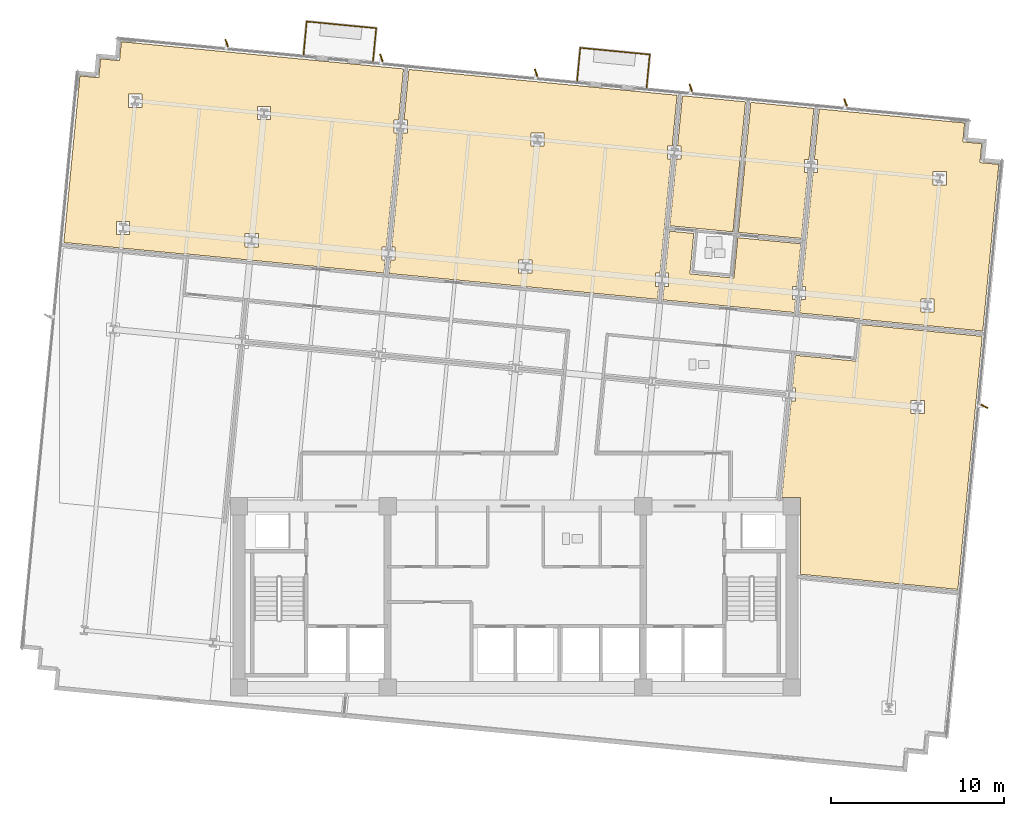
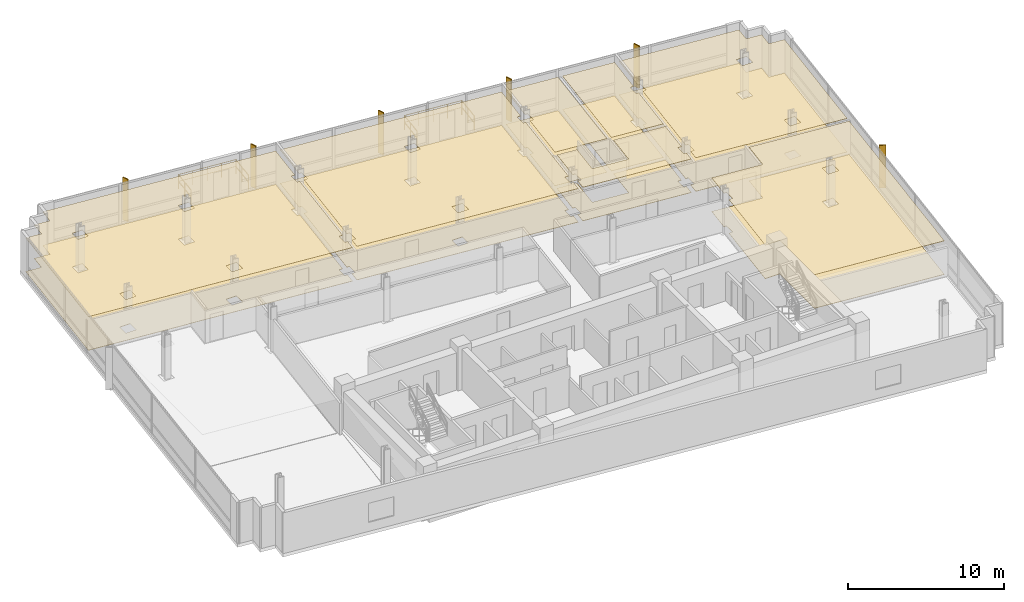
# One storey, part 15 of 16: 14 coverings, 6 railings, 6 shading devices.
"""IFC4 building model written with IfcOpenShell, lengths in metres."""

import ifcopenshell
import ifcopenshell.guid

model = None  # the IFC model being written
_history = None  # IfcOwnerHistory: only IFC2X3 demands one
_inside = {}  # id of a spatial element -> (the spatial element, [elements in it])
_under = {}  # id of a project, library or spatial element -> (it, [spatial elements below it])
_declared = {}  # id of a project -> (the project, [libraries it declares])
_typed = {}  # id of a type object -> (the type object, [elements of that type])
_made_of = {}  # id of a material, layer set ... -> (it, [elements and type objects made of it])


def new_model(schema):
    """Start an empty IFC model of exactly this schema.

    Asked for "IFC4X3", IfcOpenShell would pick the latest addendum, in which some entities
    have other attributes; the version numbers below select the first issue.
    IFC2X3 requires an IfcOwnerHistory on every rooted entity: one is made here for all.
    """
    global model, _history
    if schema == "IFC4X3":
        model = ifcopenshell.file(schema_version=(4, 3, 0, 0))
    else:
        model = ifcopenshell.file(schema=schema)
    _inside.clear()
    _under.clear()
    _declared.clear()
    _typed.clear()
    _made_of.clear()
    _history = None
    if model.schema == "IFC2X3":
        org = make("IfcOrganization", Name="unknown")
        user = make(
            "IfcPersonAndOrganization",
            ThePerson=make("IfcPerson", FamilyName="unknown"),
            TheOrganization=org,
        )
        app = make(
            "IfcApplication",
            ApplicationDeveloper=org,
            Version="unknown",
            ApplicationFullName="unknown",
            ApplicationIdentifier="unknown",
        )
        _history = make(
            "IfcOwnerHistory",
            OwningUser=user,
            OwningApplication=app,
            ChangeAction="ADDED",
            CreationDate=0,
        )
    return model


def make(cls, **values):
    """One entity of the class cls with the attributes given. An attribute that is None is left unset."""
    return model.create_entity(
        cls, **{name: value for name, value in values.items() if value is not None}
    )


def rooted(cls, **values):
    """An entity with a GlobalId (a new one), such as an element, a storey or a relation."""
    return make(cls, GlobalId=ifcopenshell.guid.new(), OwnerHistory=_history, **values)


def si_unit(unit_type, name, prefix=None):
    """IfcSIUnit, for example si_unit("LENGTHUNIT", "METRE", prefix="MILLI")."""
    return make("IfcSIUnit", UnitType=unit_type, Prefix=prefix, Name=name)


def assignment(units):
    """IfcUnitAssignment: the units of a project."""
    return None if units is None else make("IfcUnitAssignment", Units=units)


def point(xyz):
    """IfcCartesianPoint."""
    return None if xyz is None else make("IfcCartesianPoint", Coordinates=xyz)


def direction(xyz):
    """IfcDirection."""
    return None if xyz is None else make("IfcDirection", DirectionRatios=xyz)


def frame(location, z_axis=None, x_axis=None):
    """IfcAxis2Placement3D, a coordinate frame: its origin and axes. An axis left out is left unset."""
    return make(
        "IfcAxis2Placement3D",
        Location=point(location),
        Axis=direction(z_axis),
        RefDirection=direction(x_axis),
    )


def frame_2d(location, x_axis=None):
    """IfcAxis2Placement2D, a coordinate frame in the plane: its origin and x axis."""
    return make(
        "IfcAxis2Placement2D", Location=point(location), RefDirection=direction(x_axis)
    )


def origin():
    """The frame at (0, 0, 0) with its axes left unset."""
    return frame((0.0, 0.0, 0.0))


def origin_2d():
    """The frame at (0, 0) in the plane with its x axis left unset."""
    return frame_2d((0.0, 0.0))


def place(relative_to, where):
    """IfcLocalPlacement: puts the frame where relative to a parent placement (None: the world)."""
    return make(
        "IfcLocalPlacement", PlacementRelTo=relative_to, RelativePlacement=where
    )


def context(
    kind, dimensions, precision=None, world=None, true_north=None, identifier=None
):
    """IfcGeometricRepresentationContext, for example the 3D "Model" context."""
    return make(
        "IfcGeometricRepresentationContext",
        ContextIdentifier=identifier,
        ContextType=kind,
        CoordinateSpaceDimension=dimensions,
        Precision=precision,
        WorldCoordinateSystem=world,
        TrueNorth=true_north,
    )


def subcontext(parent, identifier, kind, view, scale=None):
    """IfcGeometricRepresentationSubContext, for example "Body" below "Model"."""
    return make(
        "IfcGeometricRepresentationSubContext",
        ContextIdentifier=identifier,
        ContextType=kind,
        ParentContext=parent,
        TargetScale=scale,
        TargetView=view,
    )


def project(units=None, contexts=None):
    """IfcProject with its units and contexts."""
    return rooted(
        "IfcProject",
        Name="project",
        RepresentationContexts=contexts,
        UnitsInContext=assignment(units),
    )


def spatial(cls, under=None, at=None, **own):
    """A site, building, storey or space (cls), placed at a placement, below another one or the project."""
    s = rooted(cls, ObjectPlacement=at, **own)
    if under is not None:
        _under.setdefault(under.id(), (under, []))[1].append(s)
    return s


def polyline(points):
    """IfcPolyline through the points."""
    return make("IfcPolyline", Points=[point(p) for p in points])


def profile(cls, at=None, kind="AREA", **sizes):
    """A parametric profile (cls). Its sizes go by their IFC names, for example OverallWidth=200.0."""
    return make(cls, ProfileType=kind, Position=at, **sizes)


def rectangle(**sizes):
    """IfcRectangleProfileDef."""
    return profile("IfcRectangleProfileDef", **sizes)


def circle(**sizes):
    """IfcCircleProfileDef."""
    return profile("IfcCircleProfileDef", **sizes)


def outline(outer, holes=None, kind="AREA"):
    """IfcArbitraryClosedProfileDef: a profile drawn as a closed curve; with holes, ...WithVoids."""
    if holes is None:
        return make("IfcArbitraryClosedProfileDef", ProfileType=kind, OuterCurve=outer)
    return make(
        "IfcArbitraryProfileDefWithVoids",
        ProfileType=kind,
        OuterCurve=outer,
        InnerCurves=holes,
    )


def extrude(swept, where, along, depth):
    """IfcExtrudedAreaSolid: the profile swept, set in the frame where, extruded along a direction by depth."""
    return make(
        "IfcExtrudedAreaSolid",
        SweptArea=swept,
        Position=where,
        ExtrudedDirection=direction(along),
        Depth=depth,
    )


def shape(context_of_items, identifier, shape_type, items):
    """IfcShapeRepresentation: the items that make up one representation, for example the "Body"."""
    return make(
        "IfcShapeRepresentation",
        ContextOfItems=context_of_items,
        RepresentationIdentifier=identifier,
        RepresentationType=shape_type,
        Items=items,
    )


def material(Name=None, Category=None):
    """IfcMaterial."""
    return make("IfcMaterial", Name=Name, Category=Category)


def layer(
    of_material, thickness, ventilated=None, Name=None, Category=None, Priority=None
):
    """IfcMaterialLayer: one layer of a wall or slab, of a material (None: an air gap)."""
    return make(
        "IfcMaterialLayer",
        Material=of_material,
        LayerThickness=thickness,
        IsVentilated=ventilated,
        Name=Name,
        Category=Category,
        Priority=Priority,
    )


def layer_set(layers, Name=None):
    """IfcMaterialLayerSet."""
    return make("IfcMaterialLayerSet", MaterialLayers=layers, LayerSetName=Name)


def made_of(thing, what):
    """Note that an element or type object is made of a material, layer set ...; save() writes the relation."""
    if what is not None:
        _made_of.setdefault(what.id(), (what, []))[1].append(thing)
    return thing


def type_object(cls, material=None, **own):
    """A type object (cls), such as IfcWallType, which elements share."""
    return made_of(rooted(cls, **own), material)


def element(
    cls,
    number,
    at=None,
    inside=None,
    cuts=None,
    type_object=None,
    material=None,
    context=None,
    identifier="Body",
    shape_type=None,
    held_by="IfcProductDefinitionShape",
    body=None,
    shapes=None,
    **own,
):
    """One element of the class cls, such as IfcWall. Its Tag is "e" and its number.

    at: its placement. inside: the storey or other place that contains it. cuts: it is an
    opening in that element (IfcRelVoidsElement). A single representation is given by context,
    identifier, shape_type and body (its items); several are given by shapes. held_by: the class
    of the entity that holds the representations. save() writes the other relations.
    """
    e = rooted(cls, Tag="e%d" % number, ObjectPlacement=at, **own)
    if body is not None:
        shapes = [shape(context, identifier, shape_type, body)]
    if shapes is not None:
        e.Representation = make(held_by, Representations=shapes)
    if inside is not None:
        _inside.setdefault(inside.id(), (inside, []))[1].append(e)
    if cuts is not None:
        rooted(
            "IfcRelVoidsElement", RelatingBuildingElement=cuts, RelatedOpeningElement=e
        )
    if type_object is not None:
        _typed.setdefault(type_object.id(), (type_object, []))[1].append(e)
    return made_of(e, material)


def aggregate(whole, parts):
    """IfcRelAggregates: a whole, such as a stair, and the parts it consists of."""
    return rooted("IfcRelAggregates", RelatingObject=whole, RelatedObjects=parts)


def save(model, path):
    """Write the relations noted so far, then the file.

    IfcRelAggregates (storeys below a building ...), IfcRelContainedInSpatialStructure (elements
    in a storey), IfcRelDefinesByType, IfcRelAssociatesMaterial and IfcRelDeclares: one each for
    every whole, place, type object, material and project.
    """
    for whole, parts in _under.values():
        aggregate(whole, parts)
    for where, things in _inside.values():
        rooted(
            "IfcRelContainedInSpatialStructure",
            RelatedElements=things,
            RelatingStructure=where,
        )
    for kind, things in _typed.values():
        rooted("IfcRelDefinesByType", RelatedObjects=things, RelatingType=kind)
    for what, things in _made_of.values():
        rooted("IfcRelAssociatesMaterial", RelatedObjects=things, RelatingMaterial=what)
    for by, libraries in _declared.values():
        rooted("IfcRelDeclares", RelatingContext=by, RelatedDefinitions=libraries)
    model.write(path)


model = new_model("IFC4")

# Units and contexts
model_context = context("Model", 3, precision=1e-05, world=origin(), true_north=direction((0.0, 1.0)))
body_context = subcontext(model_context, "Body", "Model", "MODEL_VIEW")
ifc_project = project(units=[si_unit("LENGTHUNIT", "METRE"), si_unit("AREAUNIT", "SQUARE_METRE"), si_unit("VOLUMEUNIT", "CUBIC_METRE"), si_unit("PLANEANGLEUNIT", "RADIAN"), si_unit("MASSUNIT", "GRAM", prefix="KILO")], contexts=[model_context])

# Site, building, storey
site_placement = place(None, origin())
site = spatial("IfcSite", under=ifc_project, at=site_placement, CompositionType="ELEMENT")
building_placement = place(site_placement, origin())
building = spatial("IfcBuilding", under=site, at=building_placement, Name="Solmavex Isthmus Hotel", CompositionType="ELEMENT")
storey_placement = place(building_placement, frame((0.0, 0.0, 160.050048828125)))
storey = spatial("IfcBuildingStorey", under=building, at=storey_placement, Name="L43", CompositionType="ELEMENT", Elevation=160.050048828125)

# Coverings
ifc_material_1 = material(Name="Gypsum plasterboard lining", Category="gypsum")
ifc_layer_1 = layer(ifc_material_1, 0.030029296875)
ifc_layer_set_1 = layer_set([ifc_layer_1], Name="Gypsum plasterboard lining")
covering_type_1 = type_object("IfcCoveringType", Name="COV-CEIL-GYP", PredefinedType="CEILING", material=ifc_layer_set_1)
covering_1_placement = place(storey_placement, frame((0.0, 0.0, 2.619873046875)))
element("IfcCovering", 1, at=covering_1_placement, inside=storey, type_object=covering_type_1, Name="Suspended Acoustic Ceiling L43-RM01", PredefinedType="CEILING", context=body_context, shape_type="SweptSolid", body=[
    extrude(outline(polyline([(-19.121337890625, 12.088623046875), (-19.119384765625, 12.1083984375), (-7.61669921875, 11.000732421875), (-7.544189453125, 11.753662109375), (-7.73193359375, 11.753662109375), (-7.73193359375, 12.513671875), (-7.470947265625, 12.513671875), (-6.835693359375, 19.111572265625), (-7.0234375, 19.111572265625), (-7.0234375, 19.87158203125), (-6.762451171875, 19.87158203125), (-6.47900390625, 22.816162109375), (-21.99609375, 24.310302734375), (-22.8173828125, 24.389404296875), (-22.9228515625, 23.29443359375), (-24.017822265625, 23.39990234375), (-24.123291015625, 22.304931640625), (-25.218017578125, 22.410400390625), (-25.297119140625, 21.589111328125), (-26.14697265625, 12.764892578125), (-19.121337890625, 12.088623046875)]), holes=[polyline([(-14.942626953125, 19.874267578125), (-14.942626953125, 20.63427734375), (-14.1826171875, 20.63427734375), (-14.1826171875, 19.874267578125), (-14.942626953125, 19.874267578125)]), polyline([(-15.651123046875, 12.51611328125), (-15.651123046875, 13.276123046875), (-14.89111328125, 13.276123046875), (-14.89111328125, 12.51611328125), (-15.651123046875, 12.51611328125)]), polyline([(-22.396240234375, 20.591796875), (-22.396240234375, 21.351806640625), (-21.63623046875, 21.351806640625), (-21.63623046875, 20.591796875), (-22.396240234375, 20.591796875)]), polyline([(-23.104736328125, 13.23388671875), (-23.104736328125, 13.993896484375), (-22.3447265625, 13.993896484375), (-22.3447265625, 13.23388671875), (-23.104736328125, 13.23388671875)])]), origin(), (0.0, 0.0, 1.0), 0.030029296875),
])
covering_2_placement = place(storey_placement, frame((0.0, 0.0, 2.619873046875)))
element("IfcCovering", 2, at=covering_2_placement, inside=storey, type_object=covering_type_1, Name="Suspended Acoustic Ceiling L43-RM02", PredefinedType="CEILING", context=body_context, shape_type="SweptSolid", body=[
    extrude(outline(polyline([(-7.159423828125, 12.513671875), (-6.971923828125, 12.513671875), (-6.971923828125, 11.753662109375), (-7.232666015625, 11.753662109375), (-7.30810546875, 10.97119140625), (4.7333984375, 9.811767578125), (5.606201171875, 9.7275390625), (8.22216796875, 9.475830078125), (8.294677734375, 10.228515625), (8.10693359375, 10.228515625), (8.10693359375, 10.988525390625), (8.36767578125, 10.988525390625), (9.003173828125, 17.586669921875), (8.8154296875, 17.586669921875), (8.8154296875, 18.346435546875), (9.076171875, 18.346435546875), (9.35986328125, 21.291015625), (-6.17041015625, 22.786376953125), (-6.450927734375, 19.87158203125), (-6.263427734375, 19.87158203125), (-6.263427734375, 19.111572265625), (-6.524169921875, 19.111572265625), (-7.0146484375, 14.017822265625), (-7.159423828125, 12.513671875)]), holes=[polyline([(0.89599609375, 18.34912109375), (0.89599609375, 19.109130859375), (1.656005859375, 19.109130859375), (1.656005859375, 18.34912109375), (0.89599609375, 18.34912109375)]), polyline([(0.1875, 10.9912109375), (0.1875, 11.751220703125), (0.947509765625, 11.751220703125), (0.947509765625, 10.9912109375), (0.1875, 10.9912109375)])]), origin(), (0.0, 0.0, 1.0), 0.030029296875),
])
covering_3_placement = place(storey_placement, frame((0.0, 0.0, 2.619873046875)))
element("IfcCovering", 3, at=covering_3_placement, inside=storey, type_object=covering_type_1, Name="Suspended Acoustic Ceiling L43-SH03-LV", PredefinedType="CEILING", context=body_context, shape_type="SweptSolid", body=[
    extrude(outline(polyline([(12.87353515625, 13.04443359375), (12.6484375, 10.705078125), (10.10009765625, 10.950439453125), (10.325439453125, 13.289794921875), (8.913818359375, 13.425537109375), (8.67919921875, 10.988525390625), (8.866943359375, 10.988525390625), (8.866943359375, 10.228515625), (8.60595703125, 10.228515625), (8.53076171875, 9.446044921875), (16.1416015625, 8.713134765625), (16.2138671875, 9.466064453125), (16.0263671875, 9.466064453125), (16.0263671875, 10.22607421875), (16.287109375, 10.22607421875), (16.524658203125, 12.69287109375), (12.87353515625, 13.04443359375)])), origin(), (0.0, 0.0, 1.0), 0.030029296875),
])
covering_4_placement = place(storey_placement, frame((0.0, 0.0, 2.619873046875)))
element("IfcCovering", 4, at=covering_4_placement, inside=storey, type_object=covering_type_1, Name="Suspended Acoustic Ceiling L43-HB03", PredefinedType="CEILING", context=body_context, shape_type="SweptSolid", body=[
    extrude(outline(polyline([(9.3876953125, 18.346435546875), (9.575439453125, 18.346435546875), (9.575439453125, 17.586669921875), (9.314453125, 17.586669921875), (8.943603515625, 13.734130859375), (12.5947265625, 13.382568359375), (13.319580078125, 20.909912109375), (9.66845703125, 21.261474609375), (9.3876953125, 18.346435546875)])), origin(), (0.0, 0.0, 1.0), 0.030029296875),
])
covering_5_placement = place(storey_placement, frame((0.0, 0.0, 2.619873046875)))
element("IfcCovering", 5, at=covering_5_placement, inside=storey, type_object=covering_type_1, Name="Suspended Acoustic Ceiling L43-HP03", PredefinedType="CEILING", context=body_context, shape_type="SweptSolid", body=[
    extrude(outline(polyline([(16.92236328125, 16.823974609375), (16.73486328125, 16.823974609375), (16.73486328125, 17.583984375), (16.99560546875, 17.583984375), (17.279052734375, 20.528564453125), (13.628173828125, 20.880126953125), (12.9033203125, 13.35302734375), (16.554443359375, 13.00146484375), (16.92236328125, 16.823974609375)])), origin(), (0.0, 0.0, 1.0), 0.030029296875),
])
covering_6_placement = place(storey_placement, frame((0.0, 0.0, 2.619873046875)))
element("IfcCovering", 6, at=covering_6_placement, inside=storey, type_object=covering_type_1, Name="Suspended Acoustic Ceiling L43-RM04", PredefinedType="CEILING", context=body_context, shape_type="SweptSolid", body=[
    extrude(outline(polyline([(17.30712890625, 17.583984375), (17.494873046875, 17.583984375), (17.494873046875, 16.823974609375), (17.23388671875, 16.823974609375), (17.139404296875, 15.841552734375), (16.5986328125, 10.22607421875), (16.786376953125, 10.22607421875), (16.786376953125, 9.466064453125), (16.525390625, 9.466064453125), (16.449951171875, 8.68359375), (20.033447265625, 8.33837890625), (20.031494140625, 8.318603515625), (27.05712890625, 7.64208984375), (27.90673828125, 16.46630859375), (27.98583984375, 17.287353515625), (26.890869140625, 17.392822265625), (26.996337890625, 18.48779296875), (25.9013671875, 18.59326171875), (26.0068359375, 19.688232421875), (25.185546875, 19.767333984375), (17.587646484375, 20.498779296875), (17.30712890625, 17.583984375)]), holes=[polyline([(24.188232421875, 16.106201171875), (24.188232421875, 16.8662109375), (24.9482421875, 16.8662109375), (24.9482421875, 16.106201171875), (24.188232421875, 16.106201171875)]), polyline([(23.479736328125, 8.748291015625), (23.479736328125, 9.50830078125), (24.23974609375, 9.50830078125), (24.23974609375, 8.748291015625), (23.479736328125, 8.748291015625)])]), origin(), (0.0, 0.0, 1.0), 0.030029296875),
])
covering_7_placement = place(storey_placement, frame((0.0, 0.0, 2.619873046875)))
element("IfcCovering", 7, at=covering_7_placement, inside=storey, type_object=covering_type_1, Name="Suspended Acoustic Ceiling L43-FL09", PredefinedType="CEILING", context=body_context, shape_type="SweptSolid", body=[
    extrude(outline(polyline([(16.0322265625, 4.34521484375), (16.219970703125, 4.34521484375), (16.219970703125, 3.585205078125), (15.959228515625, 3.585205078125), (15.421875, -1.9951171875), (16.5048828125, -1.9951171875), (16.5048828125, -6.44140625), (25.616455078125, -7.31884765625), (25.99462890625, -3.391845703125), (26.603271484375, 2.928955078125), (27.02734375, 7.33349609375), (20.001953125, 8.010009765625), (19.797607421875, 5.8896484375), (16.21435546875, 6.23486328125), (16.0322265625, 4.34521484375)]), holes=[polyline([(22.91357421875, 2.867431640625), (22.91357421875, 3.62744140625), (23.673583984375, 3.62744140625), (23.673583984375, 2.867431640625), (22.91357421875, 2.867431640625)])]), origin(), (0.0, 0.0, 1.0), 0.030029296875),
])
ifc_material_2 = material(Name="Travertine natural stone", Category="masonry")
ifc_layer_2 = layer(ifc_material_2, 0.02490234375)
ifc_layer_set_2 = layer_set([ifc_layer_2], Name="Travertine natural stone")
covering_type_2 = type_object("IfcCoveringType", Name="COV-FLOR-STN", PredefinedType="FLOORING", material=ifc_layer_set_2)
covering_8_placement = place(storey_placement, origin())
element("IfcCovering", 8, at=covering_8_placement, inside=storey, type_object=covering_type_2, Name="Stone and Timber Floor Finish L43-RM01", PredefinedType="FLOORING", context=body_context, shape_type="SweptSolid", body=[
    extrude(outline(polyline([(-19.121337890625, 12.088623046875), (-19.119384765625, 12.1083984375), (-7.61669921875, 11.000732421875), (-7.544189453125, 11.753662109375), (-7.73193359375, 11.753662109375), (-7.73193359375, 12.513671875), (-7.470947265625, 12.513671875), (-6.835693359375, 19.111572265625), (-7.0234375, 19.111572265625), (-7.0234375, 19.87158203125), (-6.762451171875, 19.87158203125), (-6.47900390625, 22.816162109375), (-21.99609375, 24.310302734375), (-22.8173828125, 24.389404296875), (-22.9228515625, 23.29443359375), (-24.017822265625, 23.39990234375), (-24.123291015625, 22.304931640625), (-25.218017578125, 22.410400390625), (-25.297119140625, 21.589111328125), (-26.14697265625, 12.764892578125), (-19.121337890625, 12.088623046875)]), holes=[polyline([(-14.942626953125, 19.874267578125), (-14.942626953125, 20.63427734375), (-14.1826171875, 20.63427734375), (-14.1826171875, 19.874267578125), (-14.942626953125, 19.874267578125)]), polyline([(-15.651123046875, 12.51611328125), (-15.651123046875, 13.276123046875), (-14.89111328125, 13.276123046875), (-14.89111328125, 12.51611328125), (-15.651123046875, 12.51611328125)]), polyline([(-22.396240234375, 20.591796875), (-22.396240234375, 21.351806640625), (-21.63623046875, 21.351806640625), (-21.63623046875, 20.591796875), (-22.396240234375, 20.591796875)]), polyline([(-23.104736328125, 13.23388671875), (-23.104736328125, 13.993896484375), (-22.3447265625, 13.993896484375), (-22.3447265625, 13.23388671875), (-23.104736328125, 13.23388671875)])]), origin(), (0.0, 0.0, 1.0), 0.02490234375),
])
covering_9_placement = place(storey_placement, origin())
element("IfcCovering", 9, at=covering_9_placement, inside=storey, type_object=covering_type_2, Name="Stone and Timber Floor Finish L43-RM02", PredefinedType="FLOORING", context=body_context, shape_type="SweptSolid", body=[
    extrude(outline(polyline([(-7.159423828125, 12.513671875), (-6.971923828125, 12.513671875), (-6.971923828125, 11.753662109375), (-7.232666015625, 11.753662109375), (-7.30810546875, 10.97119140625), (4.7333984375, 9.811767578125), (5.606201171875, 9.7275390625), (8.22216796875, 9.475830078125), (8.294677734375, 10.228515625), (8.10693359375, 10.228515625), (8.10693359375, 10.988525390625), (8.36767578125, 10.988525390625), (9.003173828125, 17.586669921875), (8.8154296875, 17.586669921875), (8.8154296875, 18.346435546875), (9.076171875, 18.346435546875), (9.35986328125, 21.291015625), (-6.17041015625, 22.786376953125), (-6.450927734375, 19.87158203125), (-6.263427734375, 19.87158203125), (-6.263427734375, 19.111572265625), (-6.524169921875, 19.111572265625), (-7.0146484375, 14.017822265625), (-7.159423828125, 12.513671875)]), holes=[polyline([(0.89599609375, 18.34912109375), (0.89599609375, 19.109130859375), (1.656005859375, 19.109130859375), (1.656005859375, 18.34912109375), (0.89599609375, 18.34912109375)]), polyline([(0.1875, 10.9912109375), (0.1875, 11.751220703125), (0.947509765625, 11.751220703125), (0.947509765625, 10.9912109375), (0.1875, 10.9912109375)])]), origin(), (0.0, 0.0, 1.0), 0.02490234375),
])
covering_10_placement = place(storey_placement, origin())
element("IfcCovering", 10, at=covering_10_placement, inside=storey, type_object=covering_type_2, Name="Stone and Timber Floor Finish L43-SH03-LV", PredefinedType="FLOORING", context=body_context, shape_type="SweptSolid", body=[
    extrude(outline(polyline([(12.87353515625, 13.04443359375), (12.6484375, 10.705078125), (10.10009765625, 10.950439453125), (10.325439453125, 13.289794921875), (8.913818359375, 13.425537109375), (8.67919921875, 10.988525390625), (8.866943359375, 10.988525390625), (8.866943359375, 10.228515625), (8.60595703125, 10.228515625), (8.53076171875, 9.446044921875), (16.1416015625, 8.713134765625), (16.2138671875, 9.466064453125), (16.0263671875, 9.466064453125), (16.0263671875, 10.22607421875), (16.287109375, 10.22607421875), (16.524658203125, 12.69287109375), (12.87353515625, 13.04443359375)])), origin(), (0.0, 0.0, 1.0), 0.02490234375),
])
covering_11_placement = place(storey_placement, origin())
element("IfcCovering", 11, at=covering_11_placement, inside=storey, type_object=covering_type_2, Name="Stone and Timber Floor Finish L43-HB03", PredefinedType="FLOORING", context=body_context, shape_type="SweptSolid", body=[
    extrude(outline(polyline([(9.3876953125, 18.346435546875), (9.575439453125, 18.346435546875), (9.575439453125, 17.586669921875), (9.314453125, 17.586669921875), (8.943603515625, 13.734130859375), (12.5947265625, 13.382568359375), (13.319580078125, 20.909912109375), (9.66845703125, 21.261474609375), (9.3876953125, 18.346435546875)])), origin(), (0.0, 0.0, 1.0), 0.02490234375),
])
covering_12_placement = place(storey_placement, origin())
element("IfcCovering", 12, at=covering_12_placement, inside=storey, type_object=covering_type_2, Name="Stone and Timber Floor Finish L43-HP03", PredefinedType="FLOORING", context=body_context, shape_type="SweptSolid", body=[
    extrude(outline(polyline([(16.92236328125, 16.823974609375), (16.73486328125, 16.823974609375), (16.73486328125, 17.583984375), (16.99560546875, 17.583984375), (17.279052734375, 20.528564453125), (13.628173828125, 20.880126953125), (12.9033203125, 13.35302734375), (16.554443359375, 13.00146484375), (16.92236328125, 16.823974609375)])), origin(), (0.0, 0.0, 1.0), 0.02490234375),
])
covering_13_placement = place(storey_placement, origin())
element("IfcCovering", 13, at=covering_13_placement, inside=storey, type_object=covering_type_2, Name="Stone and Timber Floor Finish L43-RM04", PredefinedType="FLOORING", context=body_context, shape_type="SweptSolid", body=[
    extrude(outline(polyline([(17.30712890625, 17.583984375), (17.494873046875, 17.583984375), (17.494873046875, 16.823974609375), (17.23388671875, 16.823974609375), (17.139404296875, 15.841552734375), (16.5986328125, 10.22607421875), (16.786376953125, 10.22607421875), (16.786376953125, 9.466064453125), (16.525390625, 9.466064453125), (16.449951171875, 8.68359375), (20.033447265625, 8.33837890625), (20.031494140625, 8.318603515625), (27.05712890625, 7.64208984375), (27.90673828125, 16.46630859375), (27.98583984375, 17.287353515625), (26.890869140625, 17.392822265625), (26.996337890625, 18.48779296875), (25.9013671875, 18.59326171875), (26.0068359375, 19.688232421875), (25.185546875, 19.767333984375), (17.587646484375, 20.498779296875), (17.30712890625, 17.583984375)]), holes=[polyline([(24.188232421875, 16.106201171875), (24.188232421875, 16.8662109375), (24.9482421875, 16.8662109375), (24.9482421875, 16.106201171875), (24.188232421875, 16.106201171875)]), polyline([(23.479736328125, 8.748291015625), (23.479736328125, 9.50830078125), (24.23974609375, 9.50830078125), (24.23974609375, 8.748291015625), (23.479736328125, 8.748291015625)])]), origin(), (0.0, 0.0, 1.0), 0.02490234375),
])
covering_14_placement = place(storey_placement, origin())
element("IfcCovering", 14, at=covering_14_placement, inside=storey, type_object=covering_type_2, Name="Stone and Timber Floor Finish L43-FL09", PredefinedType="FLOORING", context=body_context, shape_type="SweptSolid", body=[
    extrude(outline(polyline([(16.0322265625, 4.34521484375), (16.219970703125, 4.34521484375), (16.219970703125, 3.585205078125), (15.959228515625, 3.585205078125), (15.421875, -1.9951171875), (16.5048828125, -1.9951171875), (16.5048828125, -6.44140625), (25.616455078125, -7.31884765625), (25.99462890625, -3.391845703125), (26.603271484375, 2.928955078125), (27.02734375, 7.33349609375), (20.001953125, 8.010009765625), (19.797607421875, 5.8896484375), (16.21435546875, 6.23486328125), (16.0322265625, 4.34521484375)]), holes=[polyline([(22.91357421875, 2.867431640625), (22.91357421875, 3.62744140625), (23.673583984375, 3.62744140625), (23.673583984375, 2.867431640625), (22.91357421875, 2.867431640625)])]), origin(), (0.0, 0.0, 1.0), 0.02490234375),
])

# Railings
ifc_material_3 = material(Name="Clear low-E laminated glass", Category="glass")
ifc_layer_3 = layer(ifc_material_3, 0.070068359375)
ifc_layer_set_3 = layer_set([ifc_layer_3], Name="Clear low-E laminated glass")
railing_type = type_object("IfcRailingType", Name="RAIL-GUARD-1100", PredefinedType="BALUSTRADE", material=ifc_layer_set_3)
railing_1_placement = place(storey_placement, frame((-12.268798828125, 23.64990234375, 0.0)))
element("IfcRailing", 15, at=railing_1_placement, inside=storey, type_object=railing_type, Name="Guardrail Balustrade L43-BAL1-01", PredefinedType="BALUSTRADE", context=body_context, shape_type="SweptSolid", body=[
    extrude(circle(Radius=0.02392578125, at=origin_2d()), frame((0.0, 0.0, 1.09619140625), z_axis=(0.095877165628, 0.995393173129, 0.0), x_axis=(-0.995393173129, 0.095877165628, 0.0)), (0.0, 0.0, 1.0), 1.919921875),
    extrude(circle(Radius=0.02392578125, at=origin_2d()), frame((0.0, 0.0, 0.56005859375), z_axis=(0.095877165628, 0.995393173129, 0.0), x_axis=(-0.995393173129, 0.095877165628, 0.0)), (0.0, 0.0, 1.0), 1.919921875),
    extrude(circle(Radius=0.02099609375, at=origin_2d()), origin(), (0.0, 0.0, 1.0), 1.072021484375),
    extrude(circle(Radius=0.02099609375, at=origin_2d()), frame((0.092041015625, 0.95556640625, 0.0)), (0.0, 0.0, 1.0), 1.072021484375),
    extrude(circle(Radius=0.02099609375, at=origin_2d()), frame((0.18408203125, 1.9111328125, 0.0)), (0.0, 0.0, 1.0), 1.072021484375),
])
railing_2_placement = place(storey_placement, frame((-12.084716796875, 25.56103515625, 0.0)))
element("IfcRailing", 16, at=railing_2_placement, inside=storey, type_object=railing_type, Name="Guardrail Balustrade L43-BAL1-02", PredefinedType="BALUSTRADE", context=body_context, shape_type="SweptSolid", body=[
    extrude(circle(Radius=0.02392578125, at=origin_2d()), frame((0.0, 0.0, 1.09619140625), z_axis=(0.995396620385, -0.095841369593, 0.0), x_axis=(0.095841369593, 0.995396620385, 0.0)), (0.0, 0.0, 1.0), 4.0400390625),
    extrude(circle(Radius=0.02392578125, at=origin_2d()), frame((0.0, 0.0, 0.56005859375), z_axis=(0.995396620385, -0.095841369593, 0.0), x_axis=(0.095841369593, 0.995396620385, 0.0)), (0.0, 0.0, 1.0), 4.0400390625),
    extrude(circle(Radius=0.02099609375, at=origin_2d()), origin(), (0.0, 0.0, 1.0), 1.072021484375),
    extrude(circle(Radius=0.02099609375, at=origin_2d()), frame((1.00537109375, -0.0966796875, 0.0)), (0.0, 0.0, 1.0), 1.072021484375),
    extrude(circle(Radius=0.02099609375, at=origin_2d()), frame((2.0107421875, -0.193603515625, 0.0)), (0.0, 0.0, 1.0), 1.072021484375),
    extrude(circle(Radius=0.02099609375, at=origin_2d()), frame((3.01611328125, -0.29052734375, 0.0)), (0.0, 0.0, 1.0), 1.072021484375),
    extrude(circle(Radius=0.02099609375, at=origin_2d()), frame((4.021484375, -0.38720703125, 0.0)), (0.0, 0.0, 1.0), 1.072021484375),
])
railing_3_placement = place(storey_placement, frame((-8.063232421875, 25.173828125, 0.0)))
element("IfcRailing", 17, at=railing_3_placement, inside=storey, type_object=railing_type, Name="Guardrail Balustrade L43-BAL1-03", PredefinedType="BALUSTRADE", context=body_context, shape_type="SweptSolid", body=[
    extrude(circle(Radius=0.02392578125, at=origin_2d()), frame((0.0, 0.0, 1.09619140625), z_axis=(-0.095877165628, -0.995393173129, 0.0), x_axis=(0.995393173129, -0.095877165628, 0.0)), (0.0, 0.0, 1.0), 1.919921875),
    extrude(circle(Radius=0.02392578125, at=origin_2d()), frame((0.0, 0.0, 0.56005859375), z_axis=(-0.095877165628, -0.995393173129, 0.0), x_axis=(0.995393173129, -0.095877165628, 0.0)), (0.0, 0.0, 1.0), 1.919921875),
    extrude(circle(Radius=0.02099609375, at=origin_2d()), origin(), (0.0, 0.0, 1.0), 1.072021484375),
    extrude(circle(Radius=0.02099609375, at=origin_2d()), frame((-0.092041015625, -0.95556640625, 0.0)), (0.0, 0.0, 1.0), 1.072021484375),
    extrude(circle(Radius=0.02099609375, at=origin_2d()), frame((-0.18408203125, -1.9111328125, 0.0)), (0.0, 0.0, 1.0), 1.072021484375),
])
railing_4_placement = place(storey_placement, frame((3.570068359375, 22.124755859375, 0.0)))
element("IfcRailing", 18, at=railing_4_placement, inside=storey, type_object=railing_type, Name="Guardrail Balustrade L43-BAL2-01", PredefinedType="BALUSTRADE", context=body_context, shape_type="SweptSolid", body=[
    extrude(circle(Radius=0.02392578125, at=origin_2d()), frame((0.0, 0.0, 1.09619140625), z_axis=(0.095865031769, 0.995394341798, 0.0), x_axis=(-0.995394341798, 0.095865031769, 0.0)), (0.0, 0.0, 1.0), 1.920166015625),
    extrude(circle(Radius=0.02392578125, at=origin_2d()), frame((0.0, 0.0, 0.56005859375), z_axis=(0.095865031769, 0.995394341798, 0.0), x_axis=(-0.995394341798, 0.095865031769, 0.0)), (0.0, 0.0, 1.0), 1.920166015625),
    extrude(circle(Radius=0.02099609375, at=origin_2d()), origin(), (0.0, 0.0, 1.0), 1.072021484375),
    extrude(circle(Radius=0.02099609375, at=origin_2d()), frame((0.092041015625, 0.95556640625, 0.0)), (0.0, 0.0, 1.0), 1.072021484375),
    extrude(circle(Radius=0.02099609375, at=origin_2d()), frame((0.18408203125, 1.911376953125, 0.0)), (0.0, 0.0, 1.0), 1.072021484375),
])
railing_5_placement = place(storey_placement, frame((3.754150390625, 24.0361328125, 0.0)))
element("IfcRailing", 19, at=railing_5_placement, inside=storey, type_object=railing_type, Name="Guardrail Balustrade L43-BAL2-02", PredefinedType="BALUSTRADE", context=body_context, shape_type="SweptSolid", body=[
    extrude(circle(Radius=0.02392578125, at=origin_2d()), frame((0.0, 0.0, 1.09619140625), z_axis=(0.995396065255, -0.095847134934, 0.0), x_axis=(0.095847134934, 0.995396065255, 0.0)), (0.0, 0.0, 1.0), 4.039794921875),
    extrude(circle(Radius=0.02392578125, at=origin_2d()), frame((0.0, 0.0, 0.56005859375), z_axis=(0.995396065255, -0.095847134934, 0.0), x_axis=(0.095847134934, 0.995396065255, 0.0)), (0.0, 0.0, 1.0), 4.039794921875),
    extrude(circle(Radius=0.02099609375, at=origin_2d()), origin(), (0.0, 0.0, 1.0), 1.072021484375),
    extrude(circle(Radius=0.02099609375, at=origin_2d()), frame((1.00537109375, -0.0966796875, 0.0)), (0.0, 0.0, 1.0), 1.072021484375),
    extrude(circle(Radius=0.02099609375, at=origin_2d()), frame((2.0107421875, -0.193603515625, 0.0)), (0.0, 0.0, 1.0), 1.072021484375),
    extrude(circle(Radius=0.02099609375, at=origin_2d()), frame((3.015869140625, -0.29052734375, 0.0)), (0.0, 0.0, 1.0), 1.072021484375),
    extrude(circle(Radius=0.02099609375, at=origin_2d()), frame((4.021240234375, -0.38720703125, 0.0)), (0.0, 0.0, 1.0), 1.072021484375),
])
railing_6_placement = place(storey_placement, frame((7.775390625, 23.64892578125, 0.0)))
element("IfcRailing", 20, at=railing_6_placement, inside=storey, type_object=railing_type, Name="Guardrail Balustrade L43-BAL2-03", PredefinedType="BALUSTRADE", context=body_context, shape_type="SweptSolid", body=[
    extrude(circle(Radius=0.02392578125, at=origin_2d()), frame((0.0, 0.0, 1.09619140625), z_axis=(-0.095739055962, -0.995406466306, 0.0), x_axis=(0.995406466306, -0.095739055962, 0.0)), (0.0, 0.0, 1.0), 1.920166015625),
    extrude(circle(Radius=0.02392578125, at=origin_2d()), frame((0.0, 0.0, 0.56005859375), z_axis=(-0.095739055962, -0.995406466306, 0.0), x_axis=(0.995406466306, -0.095739055962, 0.0)), (0.0, 0.0, 1.0), 1.920166015625),
    extrude(circle(Radius=0.02099609375, at=origin_2d()), origin(), (0.0, 0.0, 1.0), 1.072021484375),
    extrude(circle(Radius=0.02099609375, at=origin_2d()), frame((-0.091796875, -0.95556640625, 0.0)), (0.0, 0.0, 1.0), 1.072021484375),
    extrude(circle(Radius=0.02099609375, at=origin_2d()), frame((-0.183837890625, -1.911376953125, 0.0)), (0.0, 0.0, 1.0), 1.072021484375),
])

# Shading devices
ifc_material_4 = material(Name="Aluminium alloy 6063-T6", Category="aluminium")
shading_device_type = type_object("IfcShadingDeviceType", Name="SHD-FIN-BRONZE", PredefinedType="USERDEFINED", material=ifc_material_4)
for number, where, z_axis, x_axis, name in (
    (21, (-16.720947265625, 24.31982421875, -0.14013671875), (0.0, 0.0, 1.0), (-0.350207381259, 0.936672189248, 0.0), "Anodised Aluminium Solar Fin L43-N1"),
    (22, (-7.762451171875, 23.457275390625, -0.14013671875), (0.0, 0.0, 1.0), (-0.350207381259, 0.936672189248, 0.0), "Anodised Aluminium Solar Fin L43-N2"),
    (23, (1.196044921875, 22.594482421875, -0.14013671875), (0.0, 0.0, 1.0), (-0.350207381259, 0.936672189248, 0.0), "Anodised Aluminium Solar Fin L43-N3"),
    (24, (10.15478515625, 21.73193359375, -0.14013671875), (0.0, 0.0, 1.0), (-0.350207381259, 0.936672189248, 0.0), "Anodised Aluminium Solar Fin L43-N4"),
    (25, (19.11328125, 20.869384765625, -0.14013671875), (0.0, 0.0, 1.0), (-0.350207381259, 0.936672189248, 0.0), "Anodised Aluminium Solar Fin L43-N5"),
    (26, (27.154296875, 3.277587890625, -0.14013671875), (0.0, 0.0, 1.0), (0.87035569594, -0.492423560103, 0.0), "Anodised Aluminium Solar Fin L43-E1"),
):
    element("IfcShadingDevice", number, at=place(storey_placement, frame(where, z_axis=z_axis, x_axis=x_axis)), inside=storey, type_object=shading_device_type, Name=name, ObjectType="SOLAR_FIN", PredefinedType="USERDEFINED", context=body_context, shape_type="SweptSolid", body=[
        extrude(rectangle(XDim=0.449951171875, YDim=0.080078125, at=origin_2d()), origin(), (0.0, 0.0, 1.0), 3.330078125),
    ])

save(model, "model.ifc")
